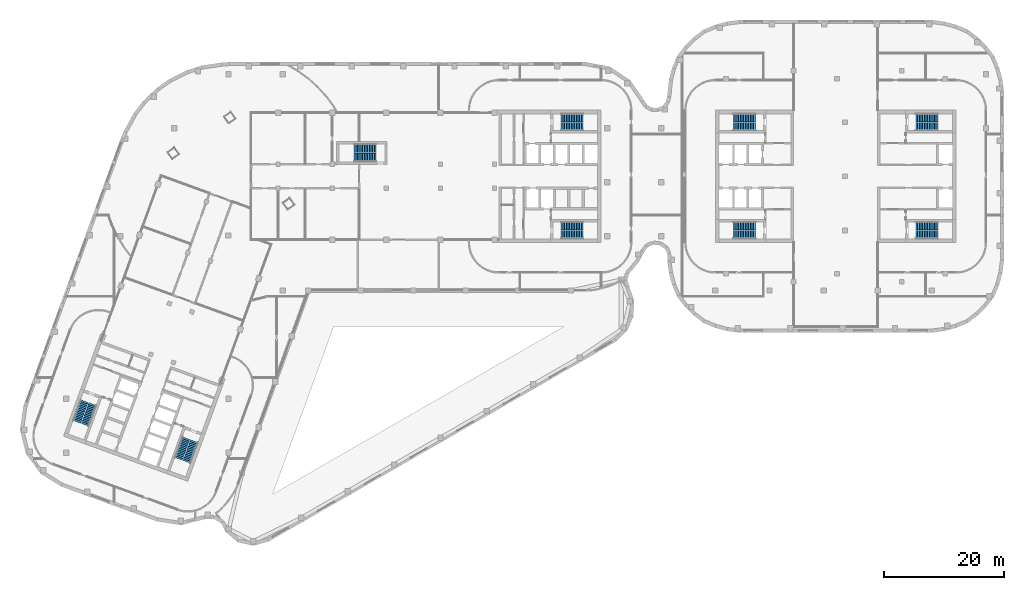
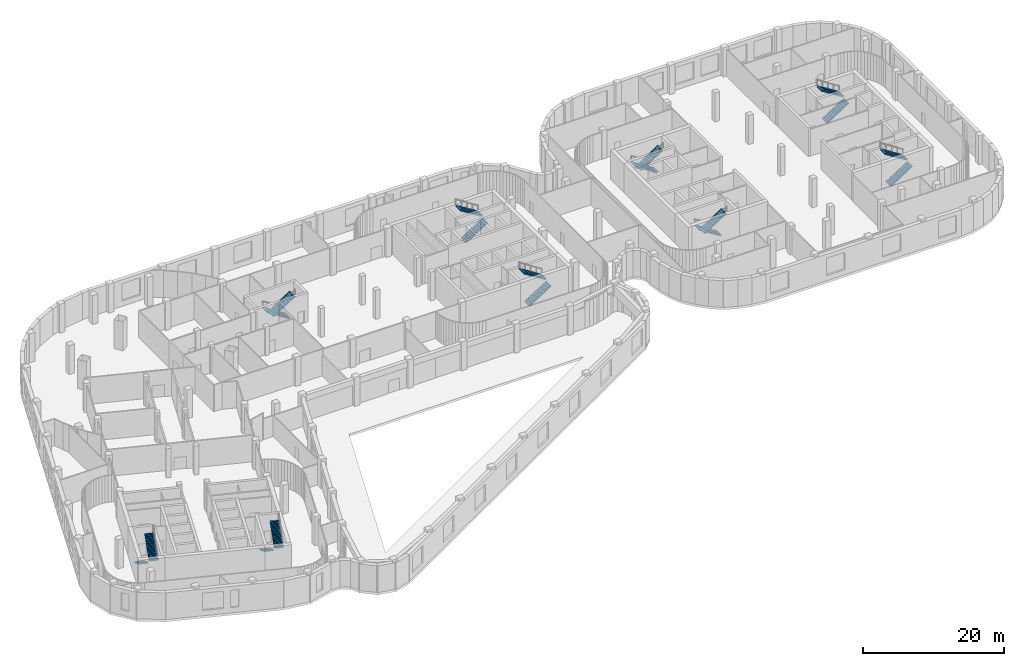
# One storey, part 18 of 20: 18 stair flights, 9 elements without a shape of their own.
"""IFC4 building model written with IfcOpenShell, lengths in metres."""

from ifc_helpers import new_model, si_unit, direction, frame, origin, place, context, subcontext, project, spatial, polyline, outline, extrude, material, type_object, element, aggregate, save


model = new_model("IFC4")

# Units and contexts
model_context = context("Model", 3, precision=1e-05, world=origin(), true_north=direction((0.0, 1.0)))
body_context = subcontext(model_context, "Body", "Model", "MODEL_VIEW")
ifc_project = project(units=[si_unit("LENGTHUNIT", "METRE"), si_unit("AREAUNIT", "SQUARE_METRE"), si_unit("VOLUMEUNIT", "CUBIC_METRE"), si_unit("PLANEANGLEUNIT", "RADIAN"), si_unit("MASSUNIT", "GRAM", prefix="KILO")], contexts=[model_context])

# Site, building, storey
site_placement = place(None, origin())
site = spatial("IfcSite", under=ifc_project, at=site_placement, CompositionType="ELEMENT")
building_placement = place(site_placement, origin())
building = spatial("IfcBuilding", under=site, at=building_placement, Name="Skarvind Civic Tower", CompositionType="ELEMENT")
storey_placement = place(building_placement, frame((0.0, 0.0, 17.5)))
storey = spatial("IfcBuildingStorey", under=building, at=storey_placement, Name="L03", CompositionType="ELEMENT", Elevation=17.5)

# Stair, stair flights
ifc_material = material(Name="Concrete C40/50", Category="concrete")
stair_type_1 = type_object("IfcStairType", Name="Exit stair 1450, half-turn, concrete", PredefinedType="HALF_TURN_STAIR", material=ifc_material)
stair_1_placement = place(storey_placement, origin())
stair_1 = element("IfcStair", 1, at=stair_1_placement, inside=storey, type_object=stair_type_1, Name="Exit stair CM", PredefinedType="HALF_TURN_STAIR")
stair_flight_type_1 = type_object("IfcStairFlightType", Name="Stair flight 1450, concrete", PredefinedType="STRAIGHT", material=ifc_material)
stair_flight_1_placement = place(storey_placement, frame((70.550048828125, 132.675048828125, 0.0), z_axis=(0.0, 0.0, 1.0), x_axis=(-1.0, 0.0, 0.0)))
stair_flight_1 = element("IfcStairFlight", 2, at=stair_flight_1_placement, type_object=stair_flight_type_1, Name="ST-CM flight 1", NumberOfRisers=14, NumberOfTreads=13, PredefinedType="STRAIGHT", RiserHeight=0.178571429, TreadLength=0.28, context=body_context, shape_type="SweptSolid", body=[
    extrude(outline(polyline([(0.0, 0.0), (0.0, 0.178466796875), (0.280029296875, 0.178466796875), (0.280029296875, 0.357177734375), (0.56005859375, 0.357177734375), (0.56005859375, 0.53564453125), (0.840087890625, 0.53564453125), (0.840087890625, 0.71435546875), (1.1201171875, 0.71435546875), (1.1201171875, 0.892822265625), (1.39990234375, 0.892822265625), (1.39990234375, 1.071533203125), (1.679931640625, 1.071533203125), (1.679931640625, 1.25), (1.9599609375, 1.25), (1.9599609375, 1.428466796875), (2.239990234375, 1.428466796875), (2.239990234375, 1.607177734375), (2.52001953125, 1.607177734375), (2.52001953125, 1.78564453125), (2.800048828125, 1.78564453125), (2.800048828125, 1.96435546875), (3.080078125, 1.96435546875), (3.080078125, 2.142822265625), (3.360107421875, 2.142822265625), (3.360107421875, 2.321533203125), (3.639892578125, 2.321533203125), (3.639892578125, 2.5), (3.639892578125, 2.1435546875), (0.27880859375, 0.0), (0.0, 0.0)])), frame((0.0, 0.72509765625, 0.0), z_axis=(0.0, -1.0, 0.0), x_axis=(1.0, 0.0, 0.0)), (0.0, 0.0, 1.0), 1.449951171875),
])
stair_flight_2_placement = place(storey_placement, frame((66.909912109375, 131.125, 2.5), z_axis=(0.0, 0.0, 1.0), x_axis=(1.0, 0.0, 0.0)))
stair_flight_2 = element("IfcStairFlight", 3, at=stair_flight_2_placement, type_object=stair_flight_type_1, Name="ST-CM flight 2", NumberOfRisers=14, NumberOfTreads=13, PredefinedType="STRAIGHT", RiserHeight=0.178571429, TreadLength=0.28, context=body_context, shape_type="SweptSolid", body=[
    extrude(outline(polyline([(0.0, 0.0), (0.0, 0.178466796875), (0.280029296875, 0.178466796875), (0.280029296875, 0.357177734375), (0.56005859375, 0.357177734375), (0.56005859375, 0.53564453125), (0.840087890625, 0.53564453125), (0.840087890625, 0.71435546875), (1.1201171875, 0.71435546875), (1.1201171875, 0.892822265625), (1.39990234375, 0.892822265625), (1.39990234375, 1.071533203125), (1.679931640625, 1.071533203125), (1.679931640625, 1.25), (1.9599609375, 1.25), (1.9599609375, 1.428466796875), (2.239990234375, 1.428466796875), (2.239990234375, 1.607177734375), (2.52001953125, 1.607177734375), (2.52001953125, 1.78564453125), (2.800048828125, 1.78564453125), (2.800048828125, 1.96435546875), (3.080078125, 1.96435546875), (3.080078125, 2.142822265625), (3.360107421875, 2.142822265625), (3.360107421875, 2.321533203125), (3.639892578125, 2.321533203125), (3.639892578125, 2.5), (3.639892578125, 2.1435546875), (0.27880859375, 0.0), (0.0, 0.0)])), frame((0.0, 0.72509765625, 0.0), z_axis=(0.0, -1.0, 0.0), x_axis=(1.0, 0.0, 0.0)), (0.0, 0.0, 1.0), 1.449951171875),
])
aggregate(stair_1, [stair_flight_1, stair_flight_2])

stair_type_2 = type_object("IfcStairType", Name="Exit stair, half-turn, concrete", PredefinedType="HALF_TURN_STAIR", material=ifc_material)
stair_2_placement = place(storey_placement, origin())
stair_2 = element("IfcStair", 4, at=stair_2_placement, inside=storey, type_object=stair_type_2, Name="Exit stair C1S", PredefinedType="HALF_TURN_STAIR")
stair_flight_type_2 = type_object("IfcStairFlightType", Name="Stair flight, concrete", PredefinedType="STRAIGHT", material=ifc_material)
stair_flight_3_placement = place(storey_placement, frame((101.35009765625, 136.27490234375, 0.0), z_axis=(0.0, 0.0, 1.0), x_axis=(1.0, 0.0, 0.0)))
stair_flight_3 = element("IfcStairFlight", 5, at=stair_flight_3_placement, type_object=stair_flight_type_2, Name="ST-C1S flight 1", NumberOfRisers=14, NumberOfTreads=13, PredefinedType="STRAIGHT", RiserHeight=0.178571429, TreadLength=0.28, context=body_context, shape_type="SweptSolid", body=[
    extrude(outline(polyline([(0.0, 0.0), (0.0, 0.178466796875), (0.280029296875, 0.178466796875), (0.280029296875, 0.357177734375), (0.56005859375, 0.357177734375), (0.56005859375, 0.53564453125), (0.840087890625, 0.53564453125), (0.840087890625, 0.71435546875), (1.1201171875, 0.71435546875), (1.1201171875, 0.892822265625), (1.39990234375, 0.892822265625), (1.39990234375, 1.071533203125), (1.679931640625, 1.071533203125), (1.679931640625, 1.25), (1.9599609375, 1.25), (1.9599609375, 1.428466796875), (2.239990234375, 1.428466796875), (2.239990234375, 1.607177734375), (2.52001953125, 1.607177734375), (2.52001953125, 1.78564453125), (2.800048828125, 1.78564453125), (2.800048828125, 1.96435546875), (3.080078125, 1.96435546875), (3.080078125, 2.142822265625), (3.360107421875, 2.142822265625), (3.360107421875, 2.321533203125), (3.639892578125, 2.321533203125), (3.639892578125, 2.5), (3.639892578125, 2.1435546875), (0.27880859375, 0.0), (0.0, 0.0)])), frame((0.0, 0.675048828125, 0.0), z_axis=(0.0, -1.0, 0.0), x_axis=(1.0, 0.0, 0.0)), (0.0, 0.0, 1.0), 1.35009765625),
])
stair_flight_4_placement = place(storey_placement, frame((104.989990234375, 137.72509765625, 2.5), z_axis=(0.0, 0.0, 1.0), x_axis=(-1.0, 0.0, 0.0)))
stair_flight_4 = element("IfcStairFlight", 6, at=stair_flight_4_placement, type_object=stair_flight_type_2, Name="ST-C1S flight 2", NumberOfRisers=14, NumberOfTreads=13, PredefinedType="STRAIGHT", RiserHeight=0.178571429, TreadLength=0.28, context=body_context, shape_type="SweptSolid", body=[
    extrude(outline(polyline([(0.0, 0.0), (0.0, 0.178466796875), (0.280029296875, 0.178466796875), (0.280029296875, 0.357177734375), (0.56005859375, 0.357177734375), (0.56005859375, 0.53564453125), (0.840087890625, 0.53564453125), (0.840087890625, 0.71435546875), (1.1201171875, 0.71435546875), (1.1201171875, 0.892822265625), (1.39990234375, 0.892822265625), (1.39990234375, 1.071533203125), (1.679931640625, 1.071533203125), (1.679931640625, 1.25), (1.9599609375, 1.25), (1.9599609375, 1.428466796875), (2.239990234375, 1.428466796875), (2.239990234375, 1.607177734375), (2.52001953125, 1.607177734375), (2.52001953125, 1.78564453125), (2.800048828125, 1.78564453125), (2.800048828125, 1.96435546875), (3.080078125, 1.96435546875), (3.080078125, 2.142822265625), (3.360107421875, 2.142822265625), (3.360107421875, 2.321533203125), (3.639892578125, 2.321533203125), (3.639892578125, 2.5), (3.639892578125, 2.1435546875), (0.27880859375, 0.0), (0.0, 0.0)])), frame((0.0, 0.675048828125, 0.0), z_axis=(0.0, -1.0, 0.0), x_axis=(1.0, 0.0, 0.0)), (0.0, 0.0, 1.0), 1.35009765625),
])
aggregate(stair_2, [stair_flight_3, stair_flight_4])

stair_3_placement = place(storey_placement, origin())
stair_3 = element("IfcStair", 7, at=stair_3_placement, inside=storey, type_object=stair_type_2, Name="Exit stair C1N", PredefinedType="HALF_TURN_STAIR")
stair_flight_5_placement = place(storey_placement, frame((101.35009765625, 118.27490234375, 0.0), z_axis=(0.0, 0.0, 1.0), x_axis=(1.0, 0.0, 0.0)))
stair_flight_5 = element("IfcStairFlight", 8, at=stair_flight_5_placement, type_object=stair_flight_type_2, Name="ST-C1N flight 1", NumberOfRisers=14, NumberOfTreads=13, PredefinedType="STRAIGHT", RiserHeight=0.178571429, TreadLength=0.28, context=body_context, shape_type="SweptSolid", body=[
    extrude(outline(polyline([(0.0, 0.0), (0.0, 0.178466796875), (0.280029296875, 0.178466796875), (0.280029296875, 0.357177734375), (0.56005859375, 0.357177734375), (0.56005859375, 0.53564453125), (0.840087890625, 0.53564453125), (0.840087890625, 0.71435546875), (1.1201171875, 0.71435546875), (1.1201171875, 0.892822265625), (1.39990234375, 0.892822265625), (1.39990234375, 1.071533203125), (1.679931640625, 1.071533203125), (1.679931640625, 1.25), (1.9599609375, 1.25), (1.9599609375, 1.428466796875), (2.239990234375, 1.428466796875), (2.239990234375, 1.607177734375), (2.52001953125, 1.607177734375), (2.52001953125, 1.78564453125), (2.800048828125, 1.78564453125), (2.800048828125, 1.96435546875), (3.080078125, 1.96435546875), (3.080078125, 2.142822265625), (3.360107421875, 2.142822265625), (3.360107421875, 2.321533203125), (3.639892578125, 2.321533203125), (3.639892578125, 2.5), (3.639892578125, 2.1435546875), (0.27880859375, 0.0), (0.0, 0.0)])), frame((0.0, 0.675048828125, 0.0), z_axis=(0.0, -1.0, 0.0), x_axis=(1.0, 0.0, 0.0)), (0.0, 0.0, 1.0), 1.35009765625),
])
stair_flight_6_placement = place(storey_placement, frame((104.989990234375, 119.72509765625, 2.5), z_axis=(0.0, 0.0, 1.0), x_axis=(-1.0, 0.0, 0.0)))
stair_flight_6 = element("IfcStairFlight", 9, at=stair_flight_6_placement, type_object=stair_flight_type_2, Name="ST-C1N flight 2", NumberOfRisers=14, NumberOfTreads=13, PredefinedType="STRAIGHT", RiserHeight=0.178571429, TreadLength=0.28, context=body_context, shape_type="SweptSolid", body=[
    extrude(outline(polyline([(0.0, 0.0), (0.0, 0.178466796875), (0.280029296875, 0.178466796875), (0.280029296875, 0.357177734375), (0.56005859375, 0.357177734375), (0.56005859375, 0.53564453125), (0.840087890625, 0.53564453125), (0.840087890625, 0.71435546875), (1.1201171875, 0.71435546875), (1.1201171875, 0.892822265625), (1.39990234375, 0.892822265625), (1.39990234375, 1.071533203125), (1.679931640625, 1.071533203125), (1.679931640625, 1.25), (1.9599609375, 1.25), (1.9599609375, 1.428466796875), (2.239990234375, 1.428466796875), (2.239990234375, 1.607177734375), (2.52001953125, 1.607177734375), (2.52001953125, 1.78564453125), (2.800048828125, 1.78564453125), (2.800048828125, 1.96435546875), (3.080078125, 1.96435546875), (3.080078125, 2.142822265625), (3.360107421875, 2.142822265625), (3.360107421875, 2.321533203125), (3.639892578125, 2.321533203125), (3.639892578125, 2.5), (3.639892578125, 2.1435546875), (0.27880859375, 0.0), (0.0, 0.0)])), frame((0.0, 0.675048828125, 0.0), z_axis=(0.0, -1.0, 0.0), x_axis=(1.0, 0.0, 0.0)), (0.0, 0.0, 1.0), 1.35009765625),
])
aggregate(stair_3, [stair_flight_5, stair_flight_6])

stair_4_placement = place(storey_placement, origin())
stair_4 = element("IfcStair", 10, at=stair_4_placement, inside=storey, type_object=stair_type_2, Name="Exit stair C2S", PredefinedType="HALF_TURN_STAIR")
stair_flight_7_placement = place(storey_placement, frame((38.949462890625, 84.43408203125, 0.0), z_axis=(0.0, 0.0, 1.0), x_axis=(-0.342020143326, -0.939692620786, 0.0)))
stair_flight_7 = element("IfcStairFlight", 11, at=stair_flight_7_placement, type_object=stair_flight_type_2, Name="ST-C2S flight 1", NumberOfRisers=14, NumberOfTreads=13, PredefinedType="STRAIGHT", RiserHeight=0.178571429, TreadLength=0.28, context=body_context, shape_type="SweptSolid", body=[
    extrude(outline(polyline([(0.0, 0.0), (0.0, 0.178466796875), (0.280029296875, 0.178466796875), (0.280029296875, 0.357177734375), (0.56005859375, 0.357177734375), (0.56005859375, 0.53564453125), (0.840087890625, 0.53564453125), (0.840087890625, 0.71435546875), (1.1201171875, 0.71435546875), (1.1201171875, 0.892822265625), (1.39990234375, 0.892822265625), (1.39990234375, 1.071533203125), (1.679931640625, 1.071533203125), (1.679931640625, 1.25), (1.9599609375, 1.25), (1.9599609375, 1.428466796875), (2.239990234375, 1.428466796875), (2.239990234375, 1.607177734375), (2.52001953125, 1.607177734375), (2.52001953125, 1.78564453125), (2.800048828125, 1.78564453125), (2.800048828125, 1.96435546875), (3.080078125, 1.96435546875), (3.080078125, 2.142822265625), (3.360107421875, 2.142822265625), (3.360107421875, 2.321533203125), (3.639892578125, 2.321533203125), (3.639892578125, 2.5), (3.639892578125, 2.1435546875), (0.27880859375, 0.0), (0.0, 0.0)])), frame((0.0, 0.675048828125, 0.0), z_axis=(0.0, -1.0, 0.0), x_axis=(1.0, 0.0, 0.0)), (0.0, 0.0, 1.0), 1.35009765625),
])
stair_flight_8_placement = place(storey_placement, frame((39.06689453125, 80.517578125, 2.5), z_axis=(0.0, 0.0, 1.0), x_axis=(0.342020143326, 0.939692620786, 0.0)))
stair_flight_8 = element("IfcStairFlight", 12, at=stair_flight_8_placement, type_object=stair_flight_type_2, Name="ST-C2S flight 2", NumberOfRisers=14, NumberOfTreads=13, PredefinedType="STRAIGHT", RiserHeight=0.178571429, TreadLength=0.28, context=body_context, shape_type="SweptSolid", body=[
    extrude(outline(polyline([(0.0, 0.0), (0.0, 0.178466796875), (0.280029296875, 0.178466796875), (0.280029296875, 0.357177734375), (0.56005859375, 0.357177734375), (0.56005859375, 0.53564453125), (0.840087890625, 0.53564453125), (0.840087890625, 0.71435546875), (1.1201171875, 0.71435546875), (1.1201171875, 0.892822265625), (1.39990234375, 0.892822265625), (1.39990234375, 1.071533203125), (1.679931640625, 1.071533203125), (1.679931640625, 1.25), (1.9599609375, 1.25), (1.9599609375, 1.428466796875), (2.239990234375, 1.428466796875), (2.239990234375, 1.607177734375), (2.52001953125, 1.607177734375), (2.52001953125, 1.78564453125), (2.800048828125, 1.78564453125), (2.800048828125, 1.96435546875), (3.080078125, 1.96435546875), (3.080078125, 2.142822265625), (3.360107421875, 2.142822265625), (3.360107421875, 2.321533203125), (3.639892578125, 2.321533203125), (3.639892578125, 2.5), (3.639892578125, 2.1435546875), (0.27880859375, 0.0), (0.0, 0.0)])), frame((0.0, 0.675048828125, 0.0), z_axis=(0.0, -1.0, 0.0), x_axis=(1.0, 0.0, 0.0)), (0.0, 0.0, 1.0), 1.35009765625),
])
aggregate(stair_4, [stair_flight_7, stair_flight_8])

stair_5_placement = place(storey_placement, origin())
stair_5 = element("IfcStair", 13, at=stair_5_placement, inside=storey, type_object=stair_type_2, Name="Exit stair C2N", PredefinedType="HALF_TURN_STAIR")
stair_flight_9_placement = place(storey_placement, frame((22.034912109375, 90.590576171875, 0.0), z_axis=(0.0, 0.0, 1.0), x_axis=(-0.342020143326, -0.939692620786, 0.0)))
stair_flight_9 = element("IfcStairFlight", 14, at=stair_flight_9_placement, type_object=stair_flight_type_2, Name="ST-C2N flight 1", NumberOfRisers=14, NumberOfTreads=13, PredefinedType="STRAIGHT", RiserHeight=0.178571429, TreadLength=0.28, context=body_context, shape_type="SweptSolid", body=[
    extrude(outline(polyline([(0.0, 0.0), (0.0, 0.178466796875), (0.280029296875, 0.178466796875), (0.280029296875, 0.357177734375), (0.56005859375, 0.357177734375), (0.56005859375, 0.53564453125), (0.840087890625, 0.53564453125), (0.840087890625, 0.71435546875), (1.1201171875, 0.71435546875), (1.1201171875, 0.892822265625), (1.39990234375, 0.892822265625), (1.39990234375, 1.071533203125), (1.679931640625, 1.071533203125), (1.679931640625, 1.25), (1.9599609375, 1.25), (1.9599609375, 1.428466796875), (2.239990234375, 1.428466796875), (2.239990234375, 1.607177734375), (2.52001953125, 1.607177734375), (2.52001953125, 1.78564453125), (2.800048828125, 1.78564453125), (2.800048828125, 1.96435546875), (3.080078125, 1.96435546875), (3.080078125, 2.142822265625), (3.360107421875, 2.142822265625), (3.360107421875, 2.321533203125), (3.639892578125, 2.321533203125), (3.639892578125, 2.5), (3.639892578125, 2.1435546875), (0.27880859375, 0.0), (0.0, 0.0)])), frame((0.0, 0.675048828125, 0.0), z_axis=(0.0, -1.0, 0.0), x_axis=(1.0, 0.0, 0.0)), (0.0, 0.0, 1.0), 1.35009765625),
])
stair_flight_10_placement = place(storey_placement, frame((22.152587890625, 86.674072265625, 2.5), z_axis=(0.0, 0.0, 1.0), x_axis=(0.342020143326, 0.939692620786, 0.0)))
stair_flight_10 = element("IfcStairFlight", 15, at=stair_flight_10_placement, type_object=stair_flight_type_2, Name="ST-C2N flight 2", NumberOfRisers=14, NumberOfTreads=13, PredefinedType="STRAIGHT", RiserHeight=0.178571429, TreadLength=0.28, context=body_context, shape_type="SweptSolid", body=[
    extrude(outline(polyline([(0.0, 0.0), (0.0, 0.178466796875), (0.280029296875, 0.178466796875), (0.280029296875, 0.357177734375), (0.56005859375, 0.357177734375), (0.56005859375, 0.53564453125), (0.840087890625, 0.53564453125), (0.840087890625, 0.71435546875), (1.1201171875, 0.71435546875), (1.1201171875, 0.892822265625), (1.39990234375, 0.892822265625), (1.39990234375, 1.071533203125), (1.679931640625, 1.071533203125), (1.679931640625, 1.25), (1.9599609375, 1.25), (1.9599609375, 1.428466796875), (2.239990234375, 1.428466796875), (2.239990234375, 1.607177734375), (2.52001953125, 1.607177734375), (2.52001953125, 1.78564453125), (2.800048828125, 1.78564453125), (2.800048828125, 1.96435546875), (3.080078125, 1.96435546875), (3.080078125, 2.142822265625), (3.360107421875, 2.142822265625), (3.360107421875, 2.321533203125), (3.639892578125, 2.321533203125), (3.639892578125, 2.5), (3.639892578125, 2.1435546875), (0.27880859375, 0.0), (0.0, 0.0)])), frame((0.0, 0.675048828125, 0.0), z_axis=(0.0, -1.0, 0.0), x_axis=(1.0, 0.0, 0.0)), (0.0, 0.0, 1.0), 1.35009765625),
])
aggregate(stair_5, [stair_flight_9, stair_flight_10])

stair_6_placement = place(storey_placement, origin())
stair_6 = element("IfcStair", 16, at=stair_6_placement, inside=storey, type_object=stair_type_2, Name="Exit stair CAS", PredefinedType="HALF_TURN_STAIR")
stair_flight_11_placement = place(storey_placement, frame((133.64990234375, 119.72509765625, 0.0), z_axis=(0.0, 0.0, 1.0), x_axis=(-1.0, 0.0, 0.0)))
stair_flight_11 = element("IfcStairFlight", 17, at=stair_flight_11_placement, type_object=stair_flight_type_2, Name="ST-CAS flight 1", NumberOfRisers=14, NumberOfTreads=13, PredefinedType="STRAIGHT", RiserHeight=0.178571429, TreadLength=0.28, context=body_context, shape_type="SweptSolid", body=[
    extrude(outline(polyline([(0.0, 0.0), (0.0, 0.178466796875), (0.280029296875, 0.178466796875), (0.280029296875, 0.357177734375), (0.56005859375, 0.357177734375), (0.56005859375, 0.53564453125), (0.840087890625, 0.53564453125), (0.840087890625, 0.71435546875), (1.1201171875, 0.71435546875), (1.1201171875, 0.892822265625), (1.39990234375, 0.892822265625), (1.39990234375, 1.071533203125), (1.679931640625, 1.071533203125), (1.679931640625, 1.25), (1.9599609375, 1.25), (1.9599609375, 1.428466796875), (2.239990234375, 1.428466796875), (2.239990234375, 1.607177734375), (2.52001953125, 1.607177734375), (2.52001953125, 1.78564453125), (2.800048828125, 1.78564453125), (2.800048828125, 1.96435546875), (3.080078125, 1.96435546875), (3.080078125, 2.142822265625), (3.360107421875, 2.142822265625), (3.360107421875, 2.321533203125), (3.639892578125, 2.321533203125), (3.639892578125, 2.5), (3.639892578125, 2.1435546875), (0.27880859375, 0.0), (0.0, 0.0)])), frame((0.0, 0.675048828125, 0.0), z_axis=(0.0, -1.0, 0.0), x_axis=(1.0, 0.0, 0.0)), (0.0, 0.0, 1.0), 1.35009765625),
])
stair_flight_12_placement = place(storey_placement, frame((130.010009765625, 118.27490234375, 2.5), z_axis=(0.0, 0.0, 1.0), x_axis=(1.0, 0.0, 0.0)))
stair_flight_12 = element("IfcStairFlight", 18, at=stair_flight_12_placement, type_object=stair_flight_type_2, Name="ST-CAS flight 2", NumberOfRisers=14, NumberOfTreads=13, PredefinedType="STRAIGHT", RiserHeight=0.178571429, TreadLength=0.28, context=body_context, shape_type="SweptSolid", body=[
    extrude(outline(polyline([(0.0, 0.0), (0.0, 0.178466796875), (0.280029296875, 0.178466796875), (0.280029296875, 0.357177734375), (0.56005859375, 0.357177734375), (0.56005859375, 0.53564453125), (0.840087890625, 0.53564453125), (0.840087890625, 0.71435546875), (1.1201171875, 0.71435546875), (1.1201171875, 0.892822265625), (1.39990234375, 0.892822265625), (1.39990234375, 1.071533203125), (1.679931640625, 1.071533203125), (1.679931640625, 1.25), (1.9599609375, 1.25), (1.9599609375, 1.428466796875), (2.239990234375, 1.428466796875), (2.239990234375, 1.607177734375), (2.52001953125, 1.607177734375), (2.52001953125, 1.78564453125), (2.800048828125, 1.78564453125), (2.800048828125, 1.96435546875), (3.080078125, 1.96435546875), (3.080078125, 2.142822265625), (3.360107421875, 2.142822265625), (3.360107421875, 2.321533203125), (3.639892578125, 2.321533203125), (3.639892578125, 2.5), (3.639892578125, 2.1435546875), (0.27880859375, 0.0), (0.0, 0.0)])), frame((0.0, 0.675048828125, 0.0), z_axis=(0.0, -1.0, 0.0), x_axis=(1.0, 0.0, 0.0)), (0.0, 0.0, 1.0), 1.35009765625),
])
aggregate(stair_6, [stair_flight_11, stair_flight_12])

stair_7_placement = place(storey_placement, origin())
stair_7 = element("IfcStair", 19, at=stair_7_placement, inside=storey, type_object=stair_type_2, Name="Exit stair CAN", PredefinedType="HALF_TURN_STAIR")
stair_flight_13_placement = place(storey_placement, frame((133.64990234375, 137.72509765625, 0.0), z_axis=(0.0, 0.0, 1.0), x_axis=(-1.0, 0.0, 0.0)))
stair_flight_13 = element("IfcStairFlight", 20, at=stair_flight_13_placement, type_object=stair_flight_type_2, Name="ST-CAN flight 1", NumberOfRisers=14, NumberOfTreads=13, PredefinedType="STRAIGHT", RiserHeight=0.178571429, TreadLength=0.28, context=body_context, shape_type="SweptSolid", body=[
    extrude(outline(polyline([(0.0, 0.0), (0.0, 0.178466796875), (0.280029296875, 0.178466796875), (0.280029296875, 0.357177734375), (0.56005859375, 0.357177734375), (0.56005859375, 0.53564453125), (0.840087890625, 0.53564453125), (0.840087890625, 0.71435546875), (1.1201171875, 0.71435546875), (1.1201171875, 0.892822265625), (1.39990234375, 0.892822265625), (1.39990234375, 1.071533203125), (1.679931640625, 1.071533203125), (1.679931640625, 1.25), (1.9599609375, 1.25), (1.9599609375, 1.428466796875), (2.239990234375, 1.428466796875), (2.239990234375, 1.607177734375), (2.52001953125, 1.607177734375), (2.52001953125, 1.78564453125), (2.800048828125, 1.78564453125), (2.800048828125, 1.96435546875), (3.080078125, 1.96435546875), (3.080078125, 2.142822265625), (3.360107421875, 2.142822265625), (3.360107421875, 2.321533203125), (3.639892578125, 2.321533203125), (3.639892578125, 2.5), (3.639892578125, 2.1435546875), (0.27880859375, 0.0), (0.0, 0.0)])), frame((0.0, 0.675048828125, 0.0), z_axis=(0.0, -1.0, 0.0), x_axis=(1.0, 0.0, 0.0)), (0.0, 0.0, 1.0), 1.35009765625),
])
stair_flight_14_placement = place(storey_placement, frame((130.010009765625, 136.27490234375, 2.5), z_axis=(0.0, 0.0, 1.0), x_axis=(1.0, 0.0, 0.0)))
stair_flight_14 = element("IfcStairFlight", 21, at=stair_flight_14_placement, type_object=stair_flight_type_2, Name="ST-CAN flight 2", NumberOfRisers=14, NumberOfTreads=13, PredefinedType="STRAIGHT", RiserHeight=0.178571429, TreadLength=0.28, context=body_context, shape_type="SweptSolid", body=[
    extrude(outline(polyline([(0.0, 0.0), (0.0, 0.178466796875), (0.280029296875, 0.178466796875), (0.280029296875, 0.357177734375), (0.56005859375, 0.357177734375), (0.56005859375, 0.53564453125), (0.840087890625, 0.53564453125), (0.840087890625, 0.71435546875), (1.1201171875, 0.71435546875), (1.1201171875, 0.892822265625), (1.39990234375, 0.892822265625), (1.39990234375, 1.071533203125), (1.679931640625, 1.071533203125), (1.679931640625, 1.25), (1.9599609375, 1.25), (1.9599609375, 1.428466796875), (2.239990234375, 1.428466796875), (2.239990234375, 1.607177734375), (2.52001953125, 1.607177734375), (2.52001953125, 1.78564453125), (2.800048828125, 1.78564453125), (2.800048828125, 1.96435546875), (3.080078125, 1.96435546875), (3.080078125, 2.142822265625), (3.360107421875, 2.142822265625), (3.360107421875, 2.321533203125), (3.639892578125, 2.321533203125), (3.639892578125, 2.5), (3.639892578125, 2.1435546875), (0.27880859375, 0.0), (0.0, 0.0)])), frame((0.0, 0.675048828125, 0.0), z_axis=(0.0, -1.0, 0.0), x_axis=(1.0, 0.0, 0.0)), (0.0, 0.0, 1.0), 1.35009765625),
])
aggregate(stair_7, [stair_flight_13, stair_flight_14])

stair_8_placement = place(storey_placement, origin())
stair_8 = element("IfcStair", 22, at=stair_8_placement, inside=storey, type_object=stair_type_2, Name="Exit stair CBS", PredefinedType="HALF_TURN_STAIR")
stair_flight_15_placement = place(storey_placement, frame((160.35009765625, 136.27490234375, 0.0), z_axis=(0.0, 0.0, 1.0), x_axis=(1.0, 0.0, 0.0)))
stair_flight_15 = element("IfcStairFlight", 23, at=stair_flight_15_placement, type_object=stair_flight_type_2, Name="ST-CBS flight 1", NumberOfRisers=14, NumberOfTreads=13, PredefinedType="STRAIGHT", RiserHeight=0.178571429, TreadLength=0.28, context=body_context, shape_type="SweptSolid", body=[
    extrude(outline(polyline([(0.0, 0.0), (0.0, 0.178466796875), (0.280029296875, 0.178466796875), (0.280029296875, 0.357177734375), (0.56005859375, 0.357177734375), (0.56005859375, 0.53564453125), (0.840087890625, 0.53564453125), (0.840087890625, 0.71435546875), (1.1201171875, 0.71435546875), (1.1201171875, 0.892822265625), (1.39990234375, 0.892822265625), (1.39990234375, 1.071533203125), (1.679931640625, 1.071533203125), (1.679931640625, 1.25), (1.9599609375, 1.25), (1.9599609375, 1.428466796875), (2.239990234375, 1.428466796875), (2.239990234375, 1.607177734375), (2.52001953125, 1.607177734375), (2.52001953125, 1.78564453125), (2.800048828125, 1.78564453125), (2.800048828125, 1.96435546875), (3.080078125, 1.96435546875), (3.080078125, 2.142822265625), (3.360107421875, 2.142822265625), (3.360107421875, 2.321533203125), (3.639892578125, 2.321533203125), (3.639892578125, 2.5), (3.639892578125, 2.1435546875), (0.27880859375, 0.0), (0.0, 0.0)])), frame((0.0, 0.675048828125, 0.0), z_axis=(0.0, -1.0, 0.0), x_axis=(1.0, 0.0, 0.0)), (0.0, 0.0, 1.0), 1.35009765625),
])
stair_flight_16_placement = place(storey_placement, frame((163.989990234375, 137.72509765625, 2.5), z_axis=(0.0, 0.0, 1.0), x_axis=(-1.0, 0.0, 0.0)))
stair_flight_16 = element("IfcStairFlight", 24, at=stair_flight_16_placement, type_object=stair_flight_type_2, Name="ST-CBS flight 2", NumberOfRisers=14, NumberOfTreads=13, PredefinedType="STRAIGHT", RiserHeight=0.178571429, TreadLength=0.28, context=body_context, shape_type="SweptSolid", body=[
    extrude(outline(polyline([(0.0, 0.0), (0.0, 0.178466796875), (0.280029296875, 0.178466796875), (0.280029296875, 0.357177734375), (0.56005859375, 0.357177734375), (0.56005859375, 0.53564453125), (0.840087890625, 0.53564453125), (0.840087890625, 0.71435546875), (1.1201171875, 0.71435546875), (1.1201171875, 0.892822265625), (1.39990234375, 0.892822265625), (1.39990234375, 1.071533203125), (1.679931640625, 1.071533203125), (1.679931640625, 1.25), (1.9599609375, 1.25), (1.9599609375, 1.428466796875), (2.239990234375, 1.428466796875), (2.239990234375, 1.607177734375), (2.52001953125, 1.607177734375), (2.52001953125, 1.78564453125), (2.800048828125, 1.78564453125), (2.800048828125, 1.96435546875), (3.080078125, 1.96435546875), (3.080078125, 2.142822265625), (3.360107421875, 2.142822265625), (3.360107421875, 2.321533203125), (3.639892578125, 2.321533203125), (3.639892578125, 2.5), (3.639892578125, 2.1435546875), (0.27880859375, 0.0), (0.0, 0.0)])), frame((0.0, 0.675048828125, 0.0), z_axis=(0.0, -1.0, 0.0), x_axis=(1.0, 0.0, 0.0)), (0.0, 0.0, 1.0), 1.35009765625),
])
aggregate(stair_8, [stair_flight_15, stair_flight_16])

stair_9_placement = place(storey_placement, origin())
stair_9 = element("IfcStair", 25, at=stair_9_placement, inside=storey, type_object=stair_type_2, Name="Exit stair CBN", PredefinedType="HALF_TURN_STAIR")
stair_flight_17_placement = place(storey_placement, frame((160.35009765625, 118.27490234375, 0.0), z_axis=(0.0, 0.0, 1.0), x_axis=(1.0, 0.0, 0.0)))
stair_flight_17 = element("IfcStairFlight", 26, at=stair_flight_17_placement, type_object=stair_flight_type_2, Name="ST-CBN flight 1", NumberOfRisers=14, NumberOfTreads=13, PredefinedType="STRAIGHT", RiserHeight=0.178571429, TreadLength=0.28, context=body_context, shape_type="SweptSolid", body=[
    extrude(outline(polyline([(0.0, 0.0), (0.0, 0.178466796875), (0.280029296875, 0.178466796875), (0.280029296875, 0.357177734375), (0.56005859375, 0.357177734375), (0.56005859375, 0.53564453125), (0.840087890625, 0.53564453125), (0.840087890625, 0.71435546875), (1.1201171875, 0.71435546875), (1.1201171875, 0.892822265625), (1.39990234375, 0.892822265625), (1.39990234375, 1.071533203125), (1.679931640625, 1.071533203125), (1.679931640625, 1.25), (1.9599609375, 1.25), (1.9599609375, 1.428466796875), (2.239990234375, 1.428466796875), (2.239990234375, 1.607177734375), (2.52001953125, 1.607177734375), (2.52001953125, 1.78564453125), (2.800048828125, 1.78564453125), (2.800048828125, 1.96435546875), (3.080078125, 1.96435546875), (3.080078125, 2.142822265625), (3.360107421875, 2.142822265625), (3.360107421875, 2.321533203125), (3.639892578125, 2.321533203125), (3.639892578125, 2.5), (3.639892578125, 2.1435546875), (0.27880859375, 0.0), (0.0, 0.0)])), frame((0.0, 0.675048828125, 0.0), z_axis=(0.0, -1.0, 0.0), x_axis=(1.0, 0.0, 0.0)), (0.0, 0.0, 1.0), 1.35009765625),
])
stair_flight_18_placement = place(storey_placement, frame((163.989990234375, 119.72509765625, 2.5), z_axis=(0.0, 0.0, 1.0), x_axis=(-1.0, 0.0, 0.0)))
stair_flight_18 = element("IfcStairFlight", 27, at=stair_flight_18_placement, type_object=stair_flight_type_2, Name="ST-CBN flight 2", NumberOfRisers=14, NumberOfTreads=13, PredefinedType="STRAIGHT", RiserHeight=0.178571429, TreadLength=0.28, context=body_context, shape_type="SweptSolid", body=[
    extrude(outline(polyline([(0.0, 0.0), (0.0, 0.178466796875), (0.280029296875, 0.178466796875), (0.280029296875, 0.357177734375), (0.56005859375, 0.357177734375), (0.56005859375, 0.53564453125), (0.840087890625, 0.53564453125), (0.840087890625, 0.71435546875), (1.1201171875, 0.71435546875), (1.1201171875, 0.892822265625), (1.39990234375, 0.892822265625), (1.39990234375, 1.071533203125), (1.679931640625, 1.071533203125), (1.679931640625, 1.25), (1.9599609375, 1.25), (1.9599609375, 1.428466796875), (2.239990234375, 1.428466796875), (2.239990234375, 1.607177734375), (2.52001953125, 1.607177734375), (2.52001953125, 1.78564453125), (2.800048828125, 1.78564453125), (2.800048828125, 1.96435546875), (3.080078125, 1.96435546875), (3.080078125, 2.142822265625), (3.360107421875, 2.142822265625), (3.360107421875, 2.321533203125), (3.639892578125, 2.321533203125), (3.639892578125, 2.5), (3.639892578125, 2.1435546875), (0.27880859375, 0.0), (0.0, 0.0)])), frame((0.0, 0.675048828125, 0.0), z_axis=(0.0, -1.0, 0.0), x_axis=(1.0, 0.0, 0.0)), (0.0, 0.0, 1.0), 1.35009765625),
])
aggregate(stair_9, [stair_flight_17, stair_flight_18])

save(model, "model.ifc")
